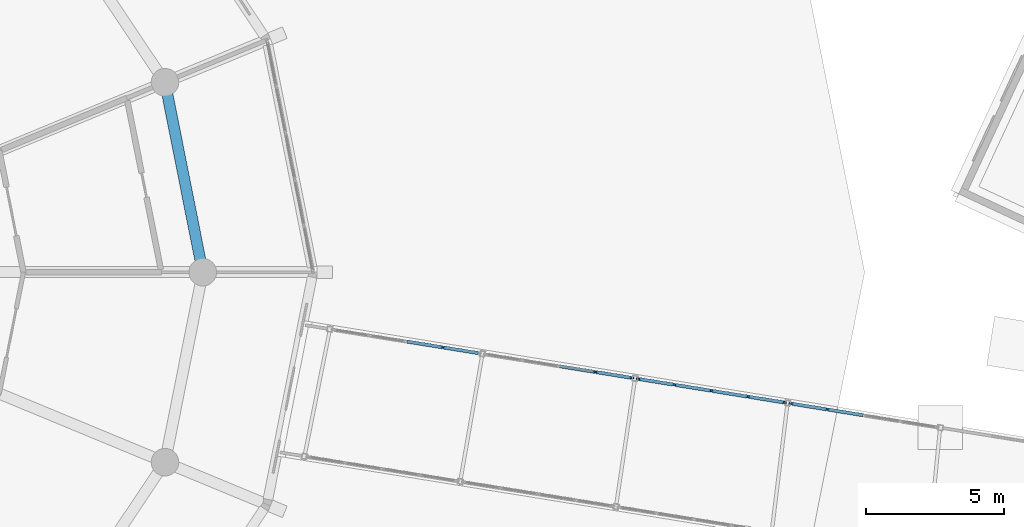
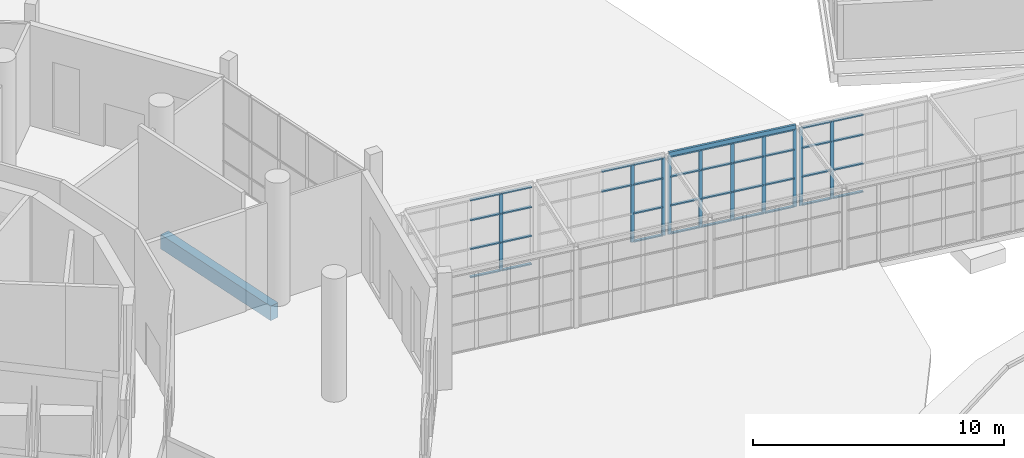
# One storey, part 70 of 226: 48 members, 2 beams, 4 elements without a shape of their own.
"""IFC4 building model written with IfcOpenShell, lengths in metres."""

from ifc_helpers import new_model, si_unit, direction, frame, origin, origin_2d, place, context, subcontext, project, spatial, rectangle, hollow_rectangle, extrude, material, material_profile, profile_set, type_object, element, aggregate, save


model = new_model("IFC4")

# Units and contexts
model_context = context("Model", 3, precision=1e-05, world=origin(), true_north=direction((0.0, 1.0)))
body_context = subcontext(model_context, "Body", "Model", "MODEL_VIEW")
ifc_project = project(units=[si_unit("LENGTHUNIT", "METRE"), si_unit("AREAUNIT", "SQUARE_METRE"), si_unit("VOLUMEUNIT", "CUBIC_METRE"), si_unit("PLANEANGLEUNIT", "RADIAN"), si_unit("MASSUNIT", "GRAM", prefix="KILO")], contexts=[model_context])

# Site, building, storey
site_placement = place(None, origin())
site = spatial("IfcSite", under=ifc_project, at=site_placement, CompositionType="ELEMENT")
building_placement = place(site_placement, origin())
building = spatial("IfcBuilding", under=site, at=building_placement, Name="Ceibo Conservatory and Research Tower", CompositionType="ELEMENT")
storey_placement = place(building_placement, origin())
storey = spatial("IfcBuildingStorey", under=building, at=storey_placement, Name="L00", CompositionType="ELEMENT", Elevation=0.0)

# Curtain wall, members
ifc_material_1 = material(Name="Aluminium and glass", Category="aluminium")
curtain_wall_type = type_object("IfcCurtainWallType", Name="Gallery curtain wall", PredefinedType="NOTDEFINED", material=ifc_material_1)
curtain_wall_1_placement = place(storey_placement, origin())
curtain_wall_1 = element("IfcCurtainWall", 1, at=curtain_wall_1_placement, inside=storey, type_object=curtain_wall_type, Name="Gallery curtain wall A-RT-CWS06", PredefinedType="NOTDEFINED")
ifc_material_2 = material(Name="Aluminium", Category="aluminium")
ifc_material_profile_1 = material_profile(ifc_material_2, rectangle(XDim=0.06005859375, YDim=0.159912109375, at=origin_2d()), Name="AL 60x160")
ifc_profile_set_1 = profile_set([ifc_material_profile_1], Name="Aluminium")
member_type_1 = type_object("IfcMemberType", Name="Gallery mullion 60x160", PredefinedType="MULLION", material=ifc_profile_set_1)
member_1_placement = place(storey_placement, frame((88.64013671875, 115.026123046875, 0.0), z_axis=(0.0, 0.0, 1.0), x_axis=(-0.159391110254, -0.987215515464, 0.0)))
member_1 = element("IfcMember", 2, at=member_1_placement, type_object=member_type_1, Name="A-RT-CWS06 mullion 4", PredefinedType="MULLION", context=body_context, shape_type="SweptSolid", body=[
    extrude(rectangle(XDim=0.06005859375, YDim=0.159912109375, at=origin_2d()), origin(), (0.0, 0.0, 1.0), 3.800048828125),
])
member_2_placement = place(storey_placement, frame((87.335693359375, 115.23681640625, 0.0), z_axis=(0.0, 0.0, 1.0), x_axis=(-0.159391110254, -0.987215515464, 0.0)))
member_2 = element("IfcMember", 3, at=member_2_placement, type_object=member_type_1, Name="A-RT-CWS06 mullion 5", PredefinedType="MULLION", context=body_context, shape_type="SweptSolid", body=[
    extrude(rectangle(XDim=0.06005859375, YDim=0.159912109375, at=origin_2d()), origin(), (0.0, 0.0, 1.0), 3.800048828125),
])

curtain_wall_2_placement = place(storey_placement, origin())
curtain_wall_2 = element("IfcCurtainWall", 4, at=curtain_wall_2_placement, inside=storey, type_object=curtain_wall_type, Name="Gallery curtain wall A-RT-CWS07", PredefinedType="NOTDEFINED")
member_3_placement = place(storey_placement, frame((87.0791015625, 115.2783203125, 0.0), z_axis=(0.0, 0.0, 1.0), x_axis=(-0.159391110254, -0.987215515464, 0.0)))
member_3 = element("IfcMember", 5, at=member_3_placement, type_object=member_type_1, Name="A-RT-CWS07 mullion 1", PredefinedType="MULLION", context=body_context, shape_type="SweptSolid", body=[
    extrude(rectangle(XDim=0.06005859375, YDim=0.159912109375, at=origin_2d()), origin(), (0.0, 0.0, 1.0), 3.800048828125),
])
member_4_placement = place(storey_placement, frame((85.77490234375, 115.48876953125, 0.0), z_axis=(0.0, 0.0, 1.0), x_axis=(-0.159391110254, -0.987215515464, 0.0)))
member_4 = element("IfcMember", 6, at=member_4_placement, type_object=member_type_1, Name="A-RT-CWS07 mullion 2", PredefinedType="MULLION", context=body_context, shape_type="SweptSolid", body=[
    extrude(rectangle(XDim=0.06005859375, YDim=0.159912109375, at=origin_2d()), origin(), (0.0, 0.0, 1.0), 3.800048828125),
])
member_5_placement = place(storey_placement, frame((84.44091796875, 115.7041015625, 0.0), z_axis=(0.0, 0.0, 1.0), x_axis=(-0.159391110254, -0.987215515464, 0.0)))
member_5 = element("IfcMember", 7, at=member_5_placement, type_object=member_type_1, Name="A-RT-CWS07 mullion 3", PredefinedType="MULLION", context=body_context, shape_type="SweptSolid", body=[
    extrude(rectangle(XDim=0.06005859375, YDim=0.159912109375, at=origin_2d()), origin(), (0.0, 0.0, 1.0), 3.800048828125),
])
member_6_placement = place(storey_placement, frame((83.107177734375, 115.91943359375, 0.0), z_axis=(0.0, 0.0, 1.0), x_axis=(-0.159391110254, -0.987215515464, 0.0)))
member_6 = element("IfcMember", 8, at=member_6_placement, type_object=member_type_1, Name="A-RT-CWS07 mullion 4", PredefinedType="MULLION", context=body_context, shape_type="SweptSolid", body=[
    extrude(rectangle(XDim=0.06005859375, YDim=0.159912109375, at=origin_2d()), origin(), (0.0, 0.0, 1.0), 3.800048828125),
])
member_7_placement = place(storey_placement, frame((81.802978515625, 116.130126953125, 0.0), z_axis=(0.0, 0.0, 1.0), x_axis=(-0.159391110254, -0.987215515464, 0.0)))
member_7 = element("IfcMember", 9, at=member_7_placement, type_object=member_type_1, Name="A-RT-CWS07 mullion 5", PredefinedType="MULLION", context=body_context, shape_type="SweptSolid", body=[
    extrude(rectangle(XDim=0.06005859375, YDim=0.159912109375, at=origin_2d()), origin(), (0.0, 0.0, 1.0), 3.800048828125),
])

curtain_wall_3_placement = place(storey_placement, origin())
curtain_wall_3 = element("IfcCurtainWall", 10, at=curtain_wall_3_placement, inside=storey, type_object=curtain_wall_type, Name="Gallery curtain wall A-RT-CWS08", PredefinedType="NOTDEFINED")
member_8_placement = place(storey_placement, frame((81.546142578125, 116.171630859375, 0.0), z_axis=(0.0, 0.0, 1.0), x_axis=(-0.159391110254, -0.987215515464, 0.0)))
member_8 = element("IfcMember", 11, at=member_8_placement, type_object=member_type_1, Name="A-RT-CWS08 mullion 1", PredefinedType="MULLION", context=body_context, shape_type="SweptSolid", body=[
    extrude(rectangle(XDim=0.06005859375, YDim=0.159912109375, at=origin_2d()), origin(), (0.0, 0.0, 1.0), 3.800048828125),
])
member_9_placement = place(storey_placement, frame((80.241943359375, 116.382080078125, 0.0), z_axis=(0.0, 0.0, 1.0), x_axis=(-0.159391110254, -0.987215515464, 0.0)))
member_9 = element("IfcMember", 12, at=member_9_placement, type_object=member_type_1, Name="A-RT-CWS08 mullion 2", PredefinedType="MULLION", context=body_context, shape_type="SweptSolid", body=[
    extrude(rectangle(XDim=0.06005859375, YDim=0.159912109375, at=origin_2d()), origin(), (0.0, 0.0, 1.0), 3.800048828125),
])

# Curtain wall, member
curtain_wall_4_placement = place(storey_placement, origin())
curtain_wall_4 = element("IfcCurtainWall", 13, at=curtain_wall_4_placement, inside=storey, type_object=curtain_wall_type, Name="Gallery curtain wall A-RT-CWS09", PredefinedType="NOTDEFINED")
member_10_placement = place(storey_placement, frame((74.708984375, 117.275390625, 0.0), z_axis=(0.0, 0.0, 1.0), x_axis=(-0.159391110254, -0.987215515464, 0.0)))
member_10 = element("IfcMember", 14, at=member_10_placement, type_object=member_type_1, Name="A-RT-CWS09 mullion 2", PredefinedType="MULLION", context=body_context, shape_type="SweptSolid", body=[
    extrude(rectangle(XDim=0.06005859375, YDim=0.159912109375, at=origin_2d()), origin(), (0.0, 0.0, 1.0), 3.800048828125),
])

# Member
ifc_material_profile_2 = material_profile(ifc_material_2, rectangle(XDim=0.1201171875, YDim=0.06005859375, at=origin_2d()), Name="AL 60x120")
ifc_profile_set_2 = profile_set([ifc_material_profile_2], Name="Aluminium")
member_type_2 = type_object("IfcMemberType", Name="Gallery transom 60x120", PredefinedType="USERDEFINED", material=ifc_profile_set_2)
member_11_placement = place(storey_placement, frame((89.9443359375, 114.815673828125, 0.030029296875), z_axis=(-0.987214258871, 0.159398892976, 0.0), x_axis=(-0.159398892976, -0.987214258871, 0.0)))
member_11 = element("IfcMember", 15, at=member_11_placement, type_object=member_type_2, Name="A-RT-CWS06 transom 3.1", ObjectType="TRANSOM", PredefinedType="USERDEFINED", context=body_context, shape_type="SweptSolid", body=[
    extrude(rectangle(XDim=0.1201171875, YDim=0.06005859375, at=origin_2d()), origin(), (0.0, 0.0, 1.0), 1.291259765625),
])

member_12_placement = place(storey_placement, frame((89.9443359375, 114.815673828125, 1.39990234375), z_axis=(-0.987214258871, 0.159398892976, 0.0), x_axis=(-0.159398892976, -0.987214258871, 0.0)))
member_12 = element("IfcMember", 16, at=member_12_placement, type_object=member_type_2, Name="A-RT-CWS06 transom 3.2", ObjectType="TRANSOM", PredefinedType="USERDEFINED", context=body_context, shape_type="SweptSolid", body=[
    extrude(rectangle(XDim=0.1201171875, YDim=0.06005859375, at=origin_2d()), origin(), (0.0, 0.0, 1.0), 1.291259765625),
])

member_13_placement = place(storey_placement, frame((89.9443359375, 114.815673828125, 2.800048828125), z_axis=(-0.987214258871, 0.159398892976, 0.0), x_axis=(-0.159398892976, -0.987214258871, 0.0)))
member_13 = element("IfcMember", 17, at=member_13_placement, type_object=member_type_2, Name="A-RT-CWS06 transom 3.3", ObjectType="TRANSOM", PredefinedType="USERDEFINED", context=body_context, shape_type="SweptSolid", body=[
    extrude(rectangle(XDim=0.1201171875, YDim=0.06005859375, at=origin_2d()), origin(), (0.0, 0.0, 1.0), 1.291259765625),
])

member_14_placement = place(storey_placement, frame((89.9443359375, 114.815673828125, 3.77001953125), z_axis=(-0.987214258871, 0.159398892976, 0.0), x_axis=(-0.159398892976, -0.987214258871, 0.0)))
member_14 = element("IfcMember", 18, at=member_14_placement, type_object=member_type_2, Name="A-RT-CWS06 transom 3.4", ObjectType="TRANSOM", PredefinedType="USERDEFINED", context=body_context, shape_type="SweptSolid", body=[
    extrude(rectangle(XDim=0.1201171875, YDim=0.06005859375, at=origin_2d()), origin(), (0.0, 0.0, 1.0), 1.291259765625),
])

member_15_placement = place(storey_placement, frame((88.6103515625, 115.031005859375, 0.030029296875), z_axis=(-0.987223442212, 0.159342006852, 0.0), x_axis=(-0.159342006852, -0.987223442212, 0.0)))
member_15 = element("IfcMember", 19, at=member_15_placement, type_object=member_type_2, Name="A-RT-CWS06 transom 4.1", ObjectType="TRANSOM", PredefinedType="USERDEFINED", context=body_context, shape_type="SweptSolid", body=[
    extrude(rectangle(XDim=0.1201171875, YDim=0.06005859375, at=origin_2d()), origin(), (0.0, 0.0, 1.0), 1.260986328125),
])

member_16_placement = place(storey_placement, frame((88.6103515625, 115.031005859375, 1.39990234375), z_axis=(-0.987223442212, 0.159342006852, 0.0), x_axis=(-0.159342006852, -0.987223442212, 0.0)))
member_16 = element("IfcMember", 20, at=member_16_placement, type_object=member_type_2, Name="A-RT-CWS06 transom 4.2", ObjectType="TRANSOM", PredefinedType="USERDEFINED", context=body_context, shape_type="SweptSolid", body=[
    extrude(rectangle(XDim=0.1201171875, YDim=0.06005859375, at=origin_2d()), origin(), (0.0, 0.0, 1.0), 1.260986328125),
])

member_17_placement = place(storey_placement, frame((88.6103515625, 115.031005859375, 2.800048828125), z_axis=(-0.987223442212, 0.159342006852, 0.0), x_axis=(-0.159342006852, -0.987223442212, 0.0)))
member_17 = element("IfcMember", 21, at=member_17_placement, type_object=member_type_2, Name="A-RT-CWS06 transom 4.3", ObjectType="TRANSOM", PredefinedType="USERDEFINED", context=body_context, shape_type="SweptSolid", body=[
    extrude(rectangle(XDim=0.1201171875, YDim=0.06005859375, at=origin_2d()), origin(), (0.0, 0.0, 1.0), 1.260986328125),
])

member_18_placement = place(storey_placement, frame((88.6103515625, 115.031005859375, 3.77001953125), z_axis=(-0.987223442212, 0.159342006852, 0.0), x_axis=(-0.159342006852, -0.987223442212, 0.0)))
member_18 = element("IfcMember", 22, at=member_18_placement, type_object=member_type_2, Name="A-RT-CWS06 transom 4.4", ObjectType="TRANSOM", PredefinedType="USERDEFINED", context=body_context, shape_type="SweptSolid", body=[
    extrude(rectangle(XDim=0.1201171875, YDim=0.06005859375, at=origin_2d()), origin(), (0.0, 0.0, 1.0), 1.260986328125),
])

aggregate(curtain_wall_1, [member_1, member_2, member_11, member_12, member_13, member_14, member_15, member_16, member_17, member_18])

member_19_placement = place(storey_placement, frame((87.049560546875, 115.282958984375, 0.030029296875), z_axis=(-0.987228356567, 0.159311556364, 0.0), x_axis=(-0.159311556364, -0.987228356567, 0.0)))
member_19 = element("IfcMember", 23, at=member_19_placement, type_object=member_type_2, Name="A-RT-CWS07 transom 1.1", ObjectType="TRANSOM", PredefinedType="USERDEFINED", context=body_context, shape_type="SweptSolid", body=[
    extrude(rectangle(XDim=0.1201171875, YDim=0.06005859375, at=origin_2d()), origin(), (0.0, 0.0, 1.0), 1.26123046875),
])

member_20_placement = place(storey_placement, frame((87.049560546875, 115.282958984375, 1.39990234375), z_axis=(-0.987228356567, 0.159311556364, 0.0), x_axis=(-0.159311556364, -0.987228356567, 0.0)))
member_20 = element("IfcMember", 24, at=member_20_placement, type_object=member_type_2, Name="A-RT-CWS07 transom 1.2", ObjectType="TRANSOM", PredefinedType="USERDEFINED", context=body_context, shape_type="SweptSolid", body=[
    extrude(rectangle(XDim=0.1201171875, YDim=0.06005859375, at=origin_2d()), origin(), (0.0, 0.0, 1.0), 1.26123046875),
])

member_21_placement = place(storey_placement, frame((87.049560546875, 115.282958984375, 2.800048828125), z_axis=(-0.987228356567, 0.159311556364, 0.0), x_axis=(-0.159311556364, -0.987228356567, 0.0)))
member_21 = element("IfcMember", 25, at=member_21_placement, type_object=member_type_2, Name="A-RT-CWS07 transom 1.3", ObjectType="TRANSOM", PredefinedType="USERDEFINED", context=body_context, shape_type="SweptSolid", body=[
    extrude(rectangle(XDim=0.1201171875, YDim=0.06005859375, at=origin_2d()), origin(), (0.0, 0.0, 1.0), 1.26123046875),
])

member_22_placement = place(storey_placement, frame((87.049560546875, 115.282958984375, 3.77001953125), z_axis=(-0.987228356567, 0.159311556364, 0.0), x_axis=(-0.159311556364, -0.987228356567, 0.0)))
member_22 = element("IfcMember", 26, at=member_22_placement, type_object=member_type_2, Name="A-RT-CWS07 transom 1.4", ObjectType="TRANSOM", PredefinedType="USERDEFINED", context=body_context, shape_type="SweptSolid", body=[
    extrude(rectangle(XDim=0.1201171875, YDim=0.06005859375, at=origin_2d()), origin(), (0.0, 0.0, 1.0), 1.26123046875),
])

member_23_placement = place(storey_placement, frame((85.745361328125, 115.49365234375, 0.030029296875), z_axis=(-0.987214258871, 0.159398892976, 0.0), x_axis=(-0.159398892976, -0.987214258871, 0.0)))
member_23 = element("IfcMember", 27, at=member_23_placement, type_object=member_type_2, Name="A-RT-CWS07 transom 2.1", ObjectType="TRANSOM", PredefinedType="USERDEFINED", context=body_context, shape_type="SweptSolid", body=[
    extrude(rectangle(XDim=0.1201171875, YDim=0.06005859375, at=origin_2d()), origin(), (0.0, 0.0, 1.0), 1.291259765625),
])

member_24_placement = place(storey_placement, frame((85.745361328125, 115.49365234375, 1.39990234375), z_axis=(-0.987214258871, 0.159398892976, 0.0), x_axis=(-0.159398892976, -0.987214258871, 0.0)))
member_24 = element("IfcMember", 28, at=member_24_placement, type_object=member_type_2, Name="A-RT-CWS07 transom 2.2", ObjectType="TRANSOM", PredefinedType="USERDEFINED", context=body_context, shape_type="SweptSolid", body=[
    extrude(rectangle(XDim=0.1201171875, YDim=0.06005859375, at=origin_2d()), origin(), (0.0, 0.0, 1.0), 1.291259765625),
])

member_25_placement = place(storey_placement, frame((85.745361328125, 115.49365234375, 2.800048828125), z_axis=(-0.987214258871, 0.159398892976, 0.0), x_axis=(-0.159398892976, -0.987214258871, 0.0)))
member_25 = element("IfcMember", 29, at=member_25_placement, type_object=member_type_2, Name="A-RT-CWS07 transom 2.3", ObjectType="TRANSOM", PredefinedType="USERDEFINED", context=body_context, shape_type="SweptSolid", body=[
    extrude(rectangle(XDim=0.1201171875, YDim=0.06005859375, at=origin_2d()), origin(), (0.0, 0.0, 1.0), 1.291259765625),
])

member_26_placement = place(storey_placement, frame((85.745361328125, 115.49365234375, 3.77001953125), z_axis=(-0.987214258871, 0.159398892976, 0.0), x_axis=(-0.159398892976, -0.987214258871, 0.0)))
member_26 = element("IfcMember", 30, at=member_26_placement, type_object=member_type_2, Name="A-RT-CWS07 transom 2.4", ObjectType="TRANSOM", PredefinedType="USERDEFINED", context=body_context, shape_type="SweptSolid", body=[
    extrude(rectangle(XDim=0.1201171875, YDim=0.06005859375, at=origin_2d()), origin(), (0.0, 0.0, 1.0), 1.291259765625),
])

member_27_placement = place(storey_placement, frame((84.411376953125, 115.708984375, 0.030029296875), z_axis=(-0.987214258871, 0.159398892976, 0.0), x_axis=(-0.159398892976, -0.987214258871, 0.0)))
member_27 = element("IfcMember", 31, at=member_27_placement, type_object=member_type_2, Name="A-RT-CWS07 transom 3.1", ObjectType="TRANSOM", PredefinedType="USERDEFINED", context=body_context, shape_type="SweptSolid", body=[
    extrude(rectangle(XDim=0.1201171875, YDim=0.06005859375, at=origin_2d()), origin(), (0.0, 0.0, 1.0), 1.291259765625),
])

member_28_placement = place(storey_placement, frame((84.411376953125, 115.708984375, 1.39990234375), z_axis=(-0.987214258871, 0.159398892976, 0.0), x_axis=(-0.159398892976, -0.987214258871, 0.0)))
member_28 = element("IfcMember", 32, at=member_28_placement, type_object=member_type_2, Name="A-RT-CWS07 transom 3.2", ObjectType="TRANSOM", PredefinedType="USERDEFINED", context=body_context, shape_type="SweptSolid", body=[
    extrude(rectangle(XDim=0.1201171875, YDim=0.06005859375, at=origin_2d()), origin(), (0.0, 0.0, 1.0), 1.291259765625),
])

member_29_placement = place(storey_placement, frame((84.411376953125, 115.708984375, 2.800048828125), z_axis=(-0.987214258871, 0.159398892976, 0.0), x_axis=(-0.159398892976, -0.987214258871, 0.0)))
member_29 = element("IfcMember", 33, at=member_29_placement, type_object=member_type_2, Name="A-RT-CWS07 transom 3.3", ObjectType="TRANSOM", PredefinedType="USERDEFINED", context=body_context, shape_type="SweptSolid", body=[
    extrude(rectangle(XDim=0.1201171875, YDim=0.06005859375, at=origin_2d()), origin(), (0.0, 0.0, 1.0), 1.291259765625),
])

member_30_placement = place(storey_placement, frame((84.411376953125, 115.708984375, 3.77001953125), z_axis=(-0.987214258871, 0.159398892976, 0.0), x_axis=(-0.159398892976, -0.987214258871, 0.0)))
member_30 = element("IfcMember", 34, at=member_30_placement, type_object=member_type_2, Name="A-RT-CWS07 transom 3.4", ObjectType="TRANSOM", PredefinedType="USERDEFINED", context=body_context, shape_type="SweptSolid", body=[
    extrude(rectangle(XDim=0.1201171875, YDim=0.06005859375, at=origin_2d()), origin(), (0.0, 0.0, 1.0), 1.291259765625),
])

member_31_placement = place(storey_placement, frame((83.077392578125, 115.92431640625, 0.030029296875), z_axis=(-0.987223442212, 0.159342006852, 0.0), x_axis=(-0.159342006852, -0.987223442212, 0.0)))
member_31 = element("IfcMember", 35, at=member_31_placement, type_object=member_type_2, Name="A-RT-CWS07 transom 4.1", ObjectType="TRANSOM", PredefinedType="USERDEFINED", context=body_context, shape_type="SweptSolid", body=[
    extrude(rectangle(XDim=0.1201171875, YDim=0.06005859375, at=origin_2d()), origin(), (0.0, 0.0, 1.0), 1.260986328125),
])

member_32_placement = place(storey_placement, frame((83.077392578125, 115.92431640625, 1.39990234375), z_axis=(-0.987223442212, 0.159342006852, 0.0), x_axis=(-0.159342006852, -0.987223442212, 0.0)))
member_32 = element("IfcMember", 36, at=member_32_placement, type_object=member_type_2, Name="A-RT-CWS07 transom 4.2", ObjectType="TRANSOM", PredefinedType="USERDEFINED", context=body_context, shape_type="SweptSolid", body=[
    extrude(rectangle(XDim=0.1201171875, YDim=0.06005859375, at=origin_2d()), origin(), (0.0, 0.0, 1.0), 1.260986328125),
])

member_33_placement = place(storey_placement, frame((83.077392578125, 115.92431640625, 2.800048828125), z_axis=(-0.987223442212, 0.159342006852, 0.0), x_axis=(-0.159342006852, -0.987223442212, 0.0)))
member_33 = element("IfcMember", 37, at=member_33_placement, type_object=member_type_2, Name="A-RT-CWS07 transom 4.3", ObjectType="TRANSOM", PredefinedType="USERDEFINED", context=body_context, shape_type="SweptSolid", body=[
    extrude(rectangle(XDim=0.1201171875, YDim=0.06005859375, at=origin_2d()), origin(), (0.0, 0.0, 1.0), 1.260986328125),
])

member_34_placement = place(storey_placement, frame((83.077392578125, 115.92431640625, 3.77001953125), z_axis=(-0.987223442212, 0.159342006852, 0.0), x_axis=(-0.159342006852, -0.987223442212, 0.0)))
member_34 = element("IfcMember", 38, at=member_34_placement, type_object=member_type_2, Name="A-RT-CWS07 transom 4.4", ObjectType="TRANSOM", PredefinedType="USERDEFINED", context=body_context, shape_type="SweptSolid", body=[
    extrude(rectangle(XDim=0.1201171875, YDim=0.06005859375, at=origin_2d()), origin(), (0.0, 0.0, 1.0), 1.260986328125),
])

aggregate(curtain_wall_2, [member_3, member_4, member_5, member_6, member_7, member_19, member_20, member_21, member_22, member_23, member_24, member_25, member_26, member_27, member_28, member_29, member_30, member_31, member_32, member_33, member_34])

member_35_placement = place(storey_placement, frame((81.5166015625, 116.17626953125, 0.030029296875), z_axis=(-0.987197894735, 0.159500208875, 0.0), x_axis=(-0.159500208875, -0.987197894735, 0.0)))
member_35 = element("IfcMember", 39, at=member_35_placement, type_object=member_type_2, Name="A-RT-CWS08 transom 1.1", ObjectType="TRANSOM", PredefinedType="USERDEFINED", context=body_context, shape_type="SweptSolid", body=[
    extrude(rectangle(XDim=0.1201171875, YDim=0.06005859375, at=origin_2d()), origin(), (0.0, 0.0, 1.0), 1.26123046875),
])

member_36_placement = place(storey_placement, frame((81.5166015625, 116.17626953125, 1.39990234375), z_axis=(-0.987197894735, 0.159500208875, 0.0), x_axis=(-0.159500208875, -0.987197894735, 0.0)))
member_36 = element("IfcMember", 40, at=member_36_placement, type_object=member_type_2, Name="A-RT-CWS08 transom 1.2", ObjectType="TRANSOM", PredefinedType="USERDEFINED", context=body_context, shape_type="SweptSolid", body=[
    extrude(rectangle(XDim=0.1201171875, YDim=0.06005859375, at=origin_2d()), origin(), (0.0, 0.0, 1.0), 1.26123046875),
])

member_37_placement = place(storey_placement, frame((81.5166015625, 116.17626953125, 2.800048828125), z_axis=(-0.987197894735, 0.159500208875, 0.0), x_axis=(-0.159500208875, -0.987197894735, 0.0)))
member_37 = element("IfcMember", 41, at=member_37_placement, type_object=member_type_2, Name="A-RT-CWS08 transom 1.3", ObjectType="TRANSOM", PredefinedType="USERDEFINED", context=body_context, shape_type="SweptSolid", body=[
    extrude(rectangle(XDim=0.1201171875, YDim=0.06005859375, at=origin_2d()), origin(), (0.0, 0.0, 1.0), 1.26123046875),
])

member_38_placement = place(storey_placement, frame((81.5166015625, 116.17626953125, 3.77001953125), z_axis=(-0.987197894735, 0.159500208875, 0.0), x_axis=(-0.159500208875, -0.987197894735, 0.0)))
member_38 = element("IfcMember", 42, at=member_38_placement, type_object=member_type_2, Name="A-RT-CWS08 transom 1.4", ObjectType="TRANSOM", PredefinedType="USERDEFINED", context=body_context, shape_type="SweptSolid", body=[
    extrude(rectangle(XDim=0.1201171875, YDim=0.06005859375, at=origin_2d()), origin(), (0.0, 0.0, 1.0), 1.26123046875),
])

member_39_placement = place(storey_placement, frame((80.21240234375, 116.386962890625, 2.800048828125), z_axis=(-0.987214258871, 0.159398892976, 0.0), x_axis=(-0.159398892976, -0.987214258871, 0.0)))
member_39 = element("IfcMember", 43, at=member_39_placement, type_object=member_type_2, Name="A-RT-CWS08 transom 2.3", ObjectType="TRANSOM", PredefinedType="USERDEFINED", context=body_context, shape_type="SweptSolid", body=[
    extrude(rectangle(XDim=0.1201171875, YDim=0.06005859375, at=origin_2d()), origin(), (0.0, 0.0, 1.0), 1.291259765625),
])

member_40_placement = place(storey_placement, frame((80.21240234375, 116.386962890625, 3.77001953125), z_axis=(-0.987214258871, 0.159398892976, 0.0), x_axis=(-0.159398892976, -0.987214258871, 0.0)))
member_40 = element("IfcMember", 44, at=member_40_placement, type_object=member_type_2, Name="A-RT-CWS08 transom 2.4", ObjectType="TRANSOM", PredefinedType="USERDEFINED", context=body_context, shape_type="SweptSolid", body=[
    extrude(rectangle(XDim=0.1201171875, YDim=0.06005859375, at=origin_2d()), origin(), (0.0, 0.0, 1.0), 1.291259765625),
])

aggregate(curtain_wall_3, [member_8, member_9, member_35, member_36, member_37, member_38, member_39, member_40])

member_41_placement = place(storey_placement, frame((75.983642578125, 117.069580078125, 0.030029296875), z_axis=(-0.987197894735, 0.159500208875, 0.0), x_axis=(-0.159500208875, -0.987197894735, 0.0)))
member_41 = element("IfcMember", 45, at=member_41_placement, type_object=member_type_2, Name="A-RT-CWS09 transom 1.1", ObjectType="TRANSOM", PredefinedType="USERDEFINED", context=body_context, shape_type="SweptSolid", body=[
    extrude(rectangle(XDim=0.1201171875, YDim=0.06005859375, at=origin_2d()), origin(), (0.0, 0.0, 1.0), 1.26123046875),
])

member_42_placement = place(storey_placement, frame((75.983642578125, 117.069580078125, 1.39990234375), z_axis=(-0.987197894735, 0.159500208875, 0.0), x_axis=(-0.159500208875, -0.987197894735, 0.0)))
member_42 = element("IfcMember", 46, at=member_42_placement, type_object=member_type_2, Name="A-RT-CWS09 transom 1.2", ObjectType="TRANSOM", PredefinedType="USERDEFINED", context=body_context, shape_type="SweptSolid", body=[
    extrude(rectangle(XDim=0.1201171875, YDim=0.06005859375, at=origin_2d()), origin(), (0.0, 0.0, 1.0), 1.26123046875),
])

member_43_placement = place(storey_placement, frame((75.983642578125, 117.069580078125, 2.800048828125), z_axis=(-0.987197894735, 0.159500208875, 0.0), x_axis=(-0.159500208875, -0.987197894735, 0.0)))
member_43 = element("IfcMember", 47, at=member_43_placement, type_object=member_type_2, Name="A-RT-CWS09 transom 1.3", ObjectType="TRANSOM", PredefinedType="USERDEFINED", context=body_context, shape_type="SweptSolid", body=[
    extrude(rectangle(XDim=0.1201171875, YDim=0.06005859375, at=origin_2d()), origin(), (0.0, 0.0, 1.0), 1.26123046875),
])

member_44_placement = place(storey_placement, frame((75.983642578125, 117.069580078125, 3.77001953125), z_axis=(-0.987197894735, 0.159500208875, 0.0), x_axis=(-0.159500208875, -0.987197894735, 0.0)))
member_44 = element("IfcMember", 48, at=member_44_placement, type_object=member_type_2, Name="A-RT-CWS09 transom 1.4", ObjectType="TRANSOM", PredefinedType="USERDEFINED", context=body_context, shape_type="SweptSolid", body=[
    extrude(rectangle(XDim=0.1201171875, YDim=0.06005859375, at=origin_2d()), origin(), (0.0, 0.0, 1.0), 1.26123046875),
])

member_45_placement = place(storey_placement, frame((74.679443359375, 117.2802734375, 0.030029296875), z_axis=(-0.987214258871, 0.159398892976, 0.0), x_axis=(-0.159398892976, -0.987214258871, 0.0)))
member_45 = element("IfcMember", 49, at=member_45_placement, type_object=member_type_2, Name="A-RT-CWS09 transom 2.1", ObjectType="TRANSOM", PredefinedType="USERDEFINED", context=body_context, shape_type="SweptSolid", body=[
    extrude(rectangle(XDim=0.1201171875, YDim=0.06005859375, at=origin_2d()), origin(), (0.0, 0.0, 1.0), 1.291259765625),
])

member_46_placement = place(storey_placement, frame((74.679443359375, 117.2802734375, 1.39990234375), z_axis=(-0.987214258871, 0.159398892976, 0.0), x_axis=(-0.159398892976, -0.987214258871, 0.0)))
member_46 = element("IfcMember", 50, at=member_46_placement, type_object=member_type_2, Name="A-RT-CWS09 transom 2.2", ObjectType="TRANSOM", PredefinedType="USERDEFINED", context=body_context, shape_type="SweptSolid", body=[
    extrude(rectangle(XDim=0.1201171875, YDim=0.06005859375, at=origin_2d()), origin(), (0.0, 0.0, 1.0), 1.291259765625),
])

member_47_placement = place(storey_placement, frame((74.679443359375, 117.2802734375, 2.800048828125), z_axis=(-0.987214258871, 0.159398892976, 0.0), x_axis=(-0.159398892976, -0.987214258871, 0.0)))
member_47 = element("IfcMember", 51, at=member_47_placement, type_object=member_type_2, Name="A-RT-CWS09 transom 2.3", ObjectType="TRANSOM", PredefinedType="USERDEFINED", context=body_context, shape_type="SweptSolid", body=[
    extrude(rectangle(XDim=0.1201171875, YDim=0.06005859375, at=origin_2d()), origin(), (0.0, 0.0, 1.0), 1.291259765625),
])

member_48_placement = place(storey_placement, frame((74.679443359375, 117.2802734375, 3.77001953125), z_axis=(-0.987214258871, 0.159398892976, 0.0), x_axis=(-0.159398892976, -0.987214258871, 0.0)))
member_48 = element("IfcMember", 52, at=member_48_placement, type_object=member_type_2, Name="A-RT-CWS09 transom 2.4", ObjectType="TRANSOM", PredefinedType="USERDEFINED", context=body_context, shape_type="SweptSolid", body=[
    extrude(rectangle(XDim=0.1201171875, YDim=0.06005859375, at=origin_2d()), origin(), (0.0, 0.0, 1.0), 1.291259765625),
])

aggregate(curtain_wall_4, [member_10, member_41, member_42, member_43, member_44, member_45, member_46, member_47, member_48])

# Beams
ifc_material_3 = material(Name="Concrete C35/45", Category="concrete")
ifc_material_profile_3 = material_profile(ifc_material_3, rectangle(XDim=0.39990234375, YDim=0.699951171875, at=origin_2d()), Name="RC 400x700")
ifc_profile_set_3 = profile_set([ifc_material_profile_3], Name="Concrete C35/45")
beam_type_1 = type_object("IfcBeamType", Name="RC beam 400x700 C35", PredefinedType="BEAM", material=ifc_profile_set_3)
beam_1_placement = place(storey_placement, frame((65.964111328125, 120.180419921875, -0.699951171875), z_axis=(-0.19507903146, 0.980787526167, 0.0), x_axis=(-0.980787526167, -0.19507903146, 0.0)))
element("IfcBeam", 53, at=beam_1_placement, inside=storey, type_object=beam_type_1, Name="Ring beam 01 L00", PredefinedType="BEAM", context=body_context, shape_type="SweptSolid", body=[
    extrude(rectangle(XDim=0.39990234375, YDim=0.699951171875, at=origin_2d()), origin(), (0.0, 0.0, 1.0), 6.655517578125),
])
ifc_material_4 = material(Name="Steel S355J2H", Category="steel")
ifc_material_profile_4 = material_profile(ifc_material_4, hollow_rectangle(XDim=0.10009765625, YDim=0.199951171875, WallThickness=0.008056640625, at=origin_2d()), Name="RHS 200x100x8 edge beam")
ifc_profile_set_4 = profile_set([ifc_material_profile_4], Name="Steel S355J2H")
beam_type_2 = type_object("IfcBeamType", Name="RHS 200x100x8 edge beam", PredefinedType="BEAM", material=ifc_profile_set_4)
beam_2_placement = place(storey_placement, frame((87.11376953125, 115.272705078125, 3.89990234375), z_axis=(-0.987215957529, 0.159388372225, 0.0), x_axis=(-0.159388372225, -0.987215957529, 0.0)))
element("IfcBeam", 54, at=beam_2_placement, inside=storey, type_object=beam_type_2, Name="Gallery edge beam A-RT-EBS07", PredefinedType="BEAM", context=body_context, shape_type="SweptSolid", body=[
    extrude(hollow_rectangle(XDim=0.10009765625, YDim=0.199951171875, WallThickness=0.008056640625, at=origin_2d()), origin(), (0.0, 0.0, 1.0), 5.414794921875),
])

save(model, "model.ifc")
